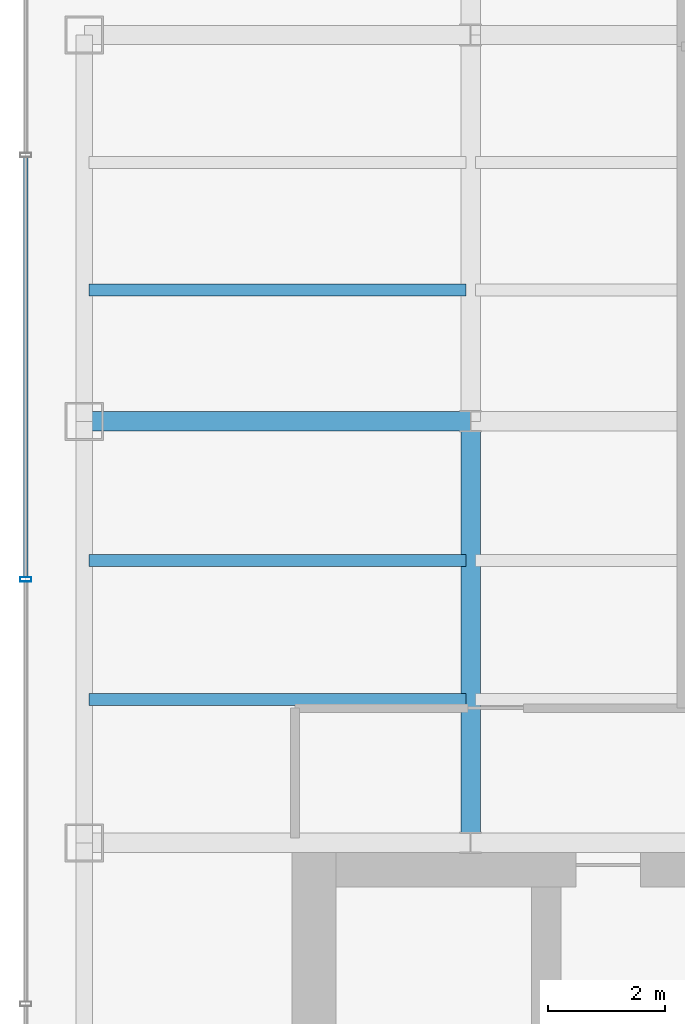
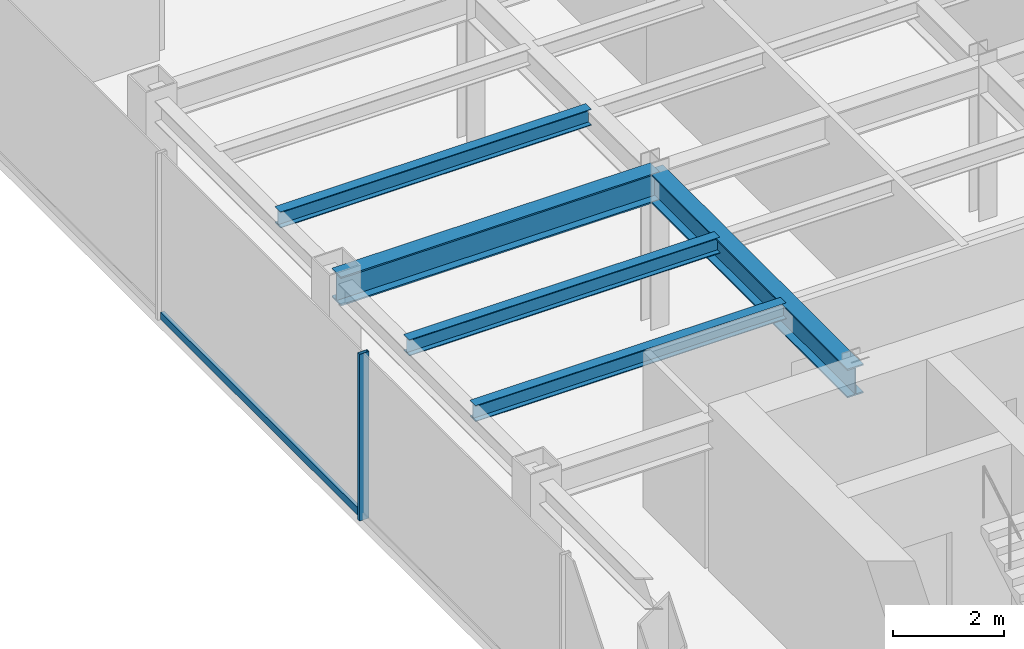
# One storey, part 5 of 25: 5 beams, 2 members, 1 element without a shape of its own.
"""IFC4 building model written with IfcOpenShell, lengths in metres."""

import ifcopenshell
import ifcopenshell.guid

model = None  # the IFC model being written
_history = None  # IfcOwnerHistory: only IFC2X3 demands one
_inside = {}  # id of a spatial element -> (the spatial element, [elements in it])
_under = {}  # id of a project, library or spatial element -> (it, [spatial elements below it])
_declared = {}  # id of a project -> (the project, [libraries it declares])
_typed = {}  # id of a type object -> (the type object, [elements of that type])
_made_of = {}  # id of a material, layer set ... -> (it, [elements and type objects made of it])


def new_model(schema):
    """Start an empty IFC model of exactly this schema.

    Asked for "IFC4X3", IfcOpenShell would pick the latest addendum, in which some entities
    have other attributes; the version numbers below select the first issue.
    IFC2X3 requires an IfcOwnerHistory on every rooted entity: one is made here for all.
    """
    global model, _history
    if schema == "IFC4X3":
        model = ifcopenshell.file(schema_version=(4, 3, 0, 0))
    else:
        model = ifcopenshell.file(schema=schema)
    _inside.clear()
    _under.clear()
    _declared.clear()
    _typed.clear()
    _made_of.clear()
    _history = None
    if model.schema == "IFC2X3":
        org = make("IfcOrganization", Name="unknown")
        user = make(
            "IfcPersonAndOrganization",
            ThePerson=make("IfcPerson", FamilyName="unknown"),
            TheOrganization=org,
        )
        app = make(
            "IfcApplication",
            ApplicationDeveloper=org,
            Version="unknown",
            ApplicationFullName="unknown",
            ApplicationIdentifier="unknown",
        )
        _history = make(
            "IfcOwnerHistory",
            OwningUser=user,
            OwningApplication=app,
            ChangeAction="ADDED",
            CreationDate=0,
        )
    return model


def make(cls, **values):
    """One entity of the class cls with the attributes given. An attribute that is None is left unset."""
    return model.create_entity(
        cls, **{name: value for name, value in values.items() if value is not None}
    )


def rooted(cls, **values):
    """An entity with a GlobalId (a new one), such as an element, a storey or a relation."""
    return make(cls, GlobalId=ifcopenshell.guid.new(), OwnerHistory=_history, **values)


def si_unit(unit_type, name, prefix=None):
    """IfcSIUnit, for example si_unit("LENGTHUNIT", "METRE", prefix="MILLI")."""
    return make("IfcSIUnit", UnitType=unit_type, Prefix=prefix, Name=name)


def derived_unit(unit_type, elements):
    """IfcDerivedUnit: a product of units, each with its exponent."""
    return make(
        "IfcDerivedUnit",
        Elements=[
            make("IfcDerivedUnitElement", Unit=unit, Exponent=power)
            for unit, power in elements
        ],
        UnitType=unit_type,
    )


def assignment(units):
    """IfcUnitAssignment: the units of a project."""
    return None if units is None else make("IfcUnitAssignment", Units=units)


def point(xyz):
    """IfcCartesianPoint."""
    return None if xyz is None else make("IfcCartesianPoint", Coordinates=xyz)


def direction(xyz):
    """IfcDirection."""
    return None if xyz is None else make("IfcDirection", DirectionRatios=xyz)


def frame(location, z_axis=None, x_axis=None):
    """IfcAxis2Placement3D, a coordinate frame: its origin and axes. An axis left out is left unset."""
    return make(
        "IfcAxis2Placement3D",
        Location=point(location),
        Axis=direction(z_axis),
        RefDirection=direction(x_axis),
    )


def frame_2d(location, x_axis=None):
    """IfcAxis2Placement2D, a coordinate frame in the plane: its origin and x axis."""
    return make(
        "IfcAxis2Placement2D", Location=point(location), RefDirection=direction(x_axis)
    )


def origin():
    """The frame at (0, 0, 0) with its axes left unset."""
    return frame((0.0, 0.0, 0.0))


def origin_2d():
    """The frame at (0, 0) in the plane with its x axis left unset."""
    return frame_2d((0.0, 0.0))


def place(relative_to, where):
    """IfcLocalPlacement: puts the frame where relative to a parent placement (None: the world)."""
    return make(
        "IfcLocalPlacement", PlacementRelTo=relative_to, RelativePlacement=where
    )


def context(
    kind, dimensions, precision=None, world=None, true_north=None, identifier=None
):
    """IfcGeometricRepresentationContext, for example the 3D "Model" context."""
    return make(
        "IfcGeometricRepresentationContext",
        ContextIdentifier=identifier,
        ContextType=kind,
        CoordinateSpaceDimension=dimensions,
        Precision=precision,
        WorldCoordinateSystem=world,
        TrueNorth=true_north,
    )


def subcontext(parent, identifier, kind, view, scale=None):
    """IfcGeometricRepresentationSubContext, for example "Body" below "Model"."""
    return make(
        "IfcGeometricRepresentationSubContext",
        ContextIdentifier=identifier,
        ContextType=kind,
        ParentContext=parent,
        TargetScale=scale,
        TargetView=view,
    )


def project(units=None, contexts=None):
    """IfcProject with its units and contexts."""
    return rooted(
        "IfcProject",
        Name="project",
        RepresentationContexts=contexts,
        UnitsInContext=assignment(units),
    )


def spatial(cls, under=None, at=None, **own):
    """A site, building, storey or space (cls), placed at a placement, below another one or the project."""
    s = rooted(cls, ObjectPlacement=at, **own)
    if under is not None:
        _under.setdefault(under.id(), (under, []))[1].append(s)
    return s


def profile(cls, at=None, kind="AREA", **sizes):
    """A parametric profile (cls). Its sizes go by their IFC names, for example OverallWidth=200.0."""
    return make(cls, ProfileType=kind, Position=at, **sizes)


def hollow_rectangle(**sizes):
    """IfcRectangleHollowProfileDef."""
    return profile("IfcRectangleHollowProfileDef", **sizes)


def i_section(**sizes):
    """IfcIShapeProfileDef."""
    return profile("IfcIShapeProfileDef", **sizes)


def extrude(swept, where, along, depth):
    """IfcExtrudedAreaSolid: the profile swept, set in the frame where, extruded along a direction by depth."""
    return make(
        "IfcExtrudedAreaSolid",
        SweptArea=swept,
        Position=where,
        ExtrudedDirection=direction(along),
        Depth=depth,
    )


def shape(context_of_items, identifier, shape_type, items):
    """IfcShapeRepresentation: the items that make up one representation, for example the "Body"."""
    return make(
        "IfcShapeRepresentation",
        ContextOfItems=context_of_items,
        RepresentationIdentifier=identifier,
        RepresentationType=shape_type,
        Items=items,
    )


def source(mapping_origin, context_of_items, identifier, shape_type, items):
    """IfcRepresentationMap: a shape defined once, which mapped items show again and again."""
    return make(
        "IfcRepresentationMap",
        MappingOrigin=mapping_origin,
        MappedRepresentation=shape(context_of_items, identifier, shape_type, items),
    )


def transform(
    local_origin,
    x_axis=None,
    y_axis=None,
    z_axis=None,
    scale=None,
    scale2=None,
    scale3=None,
    uniform=True,
):
    """IfcCartesianTransformationOperator3D, or its non-uniform kind. x_axis, y_axis, z_axis: its Axis1, 2, 3."""
    if uniform:
        return make(
            "IfcCartesianTransformationOperator3D",
            Axis1=direction(x_axis),
            Axis2=direction(y_axis),
            LocalOrigin=point(local_origin),
            Scale=scale,
            Axis3=direction(z_axis),
        )
    return make(
        "IfcCartesianTransformationOperator3DnonUniform",
        Axis1=direction(x_axis),
        Axis2=direction(y_axis),
        LocalOrigin=point(local_origin),
        Scale=scale,
        Axis3=direction(z_axis),
        Scale2=scale2,
        Scale3=scale3,
    )


def mapped(mapping_source, mapping_target):
    """IfcMappedItem: shows the shape of a source again, moved by a transform."""
    return make(
        "IfcMappedItem", MappingSource=mapping_source, MappingTarget=mapping_target
    )


def material(Name=None, Category=None):
    """IfcMaterial."""
    return make("IfcMaterial", Name=Name, Category=Category)


def material_profile(
    of_material, cross_section, Name=None, Category=None, Priority=None
):
    """IfcMaterialProfile: a cross section and its material."""
    return make(
        "IfcMaterialProfile",
        Name=Name,
        Material=of_material,
        Profile=cross_section,
        Priority=Priority,
        Category=Category,
    )


def profile_set(profiles, Name=None, composite=None):
    """IfcMaterialProfileSet."""
    return make(
        "IfcMaterialProfileSet",
        Name=Name,
        MaterialProfiles=profiles,
        CompositeProfile=composite,
    )


def made_of(thing, what):
    """Note that an element or type object is made of a material, layer set ...; save() writes the relation."""
    if what is not None:
        _made_of.setdefault(what.id(), (what, []))[1].append(thing)
    return thing


def type_object(cls, material=None, **own):
    """A type object (cls), such as IfcWallType, which elements share."""
    return made_of(rooted(cls, **own), material)


def element(
    cls,
    number,
    at=None,
    inside=None,
    cuts=None,
    type_object=None,
    material=None,
    context=None,
    identifier="Body",
    shape_type=None,
    held_by="IfcProductDefinitionShape",
    body=None,
    shapes=None,
    **own,
):
    """One element of the class cls, such as IfcWall. Its Tag is "e" and its number.

    at: its placement. inside: the storey or other place that contains it. cuts: it is an
    opening in that element (IfcRelVoidsElement). A single representation is given by context,
    identifier, shape_type and body (its items); several are given by shapes. held_by: the class
    of the entity that holds the representations. save() writes the other relations.
    """
    e = rooted(cls, Tag="e%d" % number, ObjectPlacement=at, **own)
    if body is not None:
        shapes = [shape(context, identifier, shape_type, body)]
    if shapes is not None:
        e.Representation = make(held_by, Representations=shapes)
    if inside is not None:
        _inside.setdefault(inside.id(), (inside, []))[1].append(e)
    if cuts is not None:
        rooted(
            "IfcRelVoidsElement", RelatingBuildingElement=cuts, RelatedOpeningElement=e
        )
    if type_object is not None:
        _typed.setdefault(type_object.id(), (type_object, []))[1].append(e)
    return made_of(e, material)


def aggregate(whole, parts):
    """IfcRelAggregates: a whole, such as a stair, and the parts it consists of."""
    return rooted("IfcRelAggregates", RelatingObject=whole, RelatedObjects=parts)


def save(model, path):
    """Write the relations noted so far, then the file.

    IfcRelAggregates (storeys below a building ...), IfcRelContainedInSpatialStructure (elements
    in a storey), IfcRelDefinesByType, IfcRelAssociatesMaterial and IfcRelDeclares: one each for
    every whole, place, type object, material and project.
    """
    for whole, parts in _under.values():
        aggregate(whole, parts)
    for where, things in _inside.values():
        rooted(
            "IfcRelContainedInSpatialStructure",
            RelatedElements=things,
            RelatingStructure=where,
        )
    for kind, things in _typed.values():
        rooted("IfcRelDefinesByType", RelatedObjects=things, RelatingType=kind)
    for what, things in _made_of.values():
        rooted("IfcRelAssociatesMaterial", RelatedObjects=things, RelatingMaterial=what)
    for by, libraries in _declared.values():
        rooted("IfcRelDeclares", RelatingContext=by, RelatedDefinitions=libraries)
    model.write(path)


model = new_model("IFC4")

# Units and contexts
model_context = context("Model", 3, precision=1e-05, world=origin(), true_north=direction((0.0, 1.0)))
body_context = subcontext(model_context, "Body", "Model", "MODEL_VIEW")
ifc_project = project(units=[si_unit("LENGTHUNIT", "METRE"), si_unit("AREAUNIT", "SQUARE_METRE"), si_unit("VOLUMEUNIT", "CUBIC_METRE"), si_unit("PLANEANGLEUNIT", "RADIAN"), si_unit("MASSUNIT", "GRAM", prefix="KILO"), derived_unit("THERMALTRANSMITTANCEUNIT", [(si_unit("POWERUNIT", "WATT"), 1), (si_unit("LENGTHUNIT", "METRE"), -2), (si_unit("THERMODYNAMICTEMPERATUREUNIT", "KELVIN"), -1)])], contexts=[model_context])

# Site, building, storey
site_placement = place(None, origin())
site = spatial("IfcSite", under=ifc_project, at=site_placement, CompositionType="ELEMENT")
building_placement = place(site_placement, origin())
building = spatial("IfcBuilding", under=site, at=building_placement, Name="Skarnbrae Concourse Arena and Tower", CompositionType="ELEMENT")
storey_placement = place(building_placement, frame((0.0, 0.0, 173.449951171875)))
storey = spatial("IfcBuildingStorey", under=building, at=storey_placement, Name="L44", CompositionType="ELEMENT", Elevation=173.449951171875)

# Beams
ifc_material_1 = material(Name="Steel CSA G40.21 350W", Category="steel")
ifc_material_profile_1 = material_profile(ifc_material_1, i_section(OverallWidth=0.3291015625, OverallDepth=0.635009765625, WebThickness=0.017822265625, FlangeThickness=0.031005859375, at=origin_2d()), Name="W610X241")
ifc_profile_set_1 = profile_set([ifc_material_profile_1], Name="Steel CSA G40.21 350W")
beam_type_1 = type_object("IfcBeamType", Name="BM-GIRD-W610X241", PredefinedType="BEAM", material=ifc_profile_set_1)
shared_shape_1 = source(origin(), body_context, "Body", "SweptSolid", [
    extrude(i_section(OverallWidth=0.3291015625, OverallDepth=0.635009765625, WebThickness=0.017822265625, FlangeThickness=0.031005859375, at=origin_2d()), origin(), (0.0, 0.0, 1.0), 6.60009765625),
])
beam_1_placement = place(storey_placement, frame((1.0, 21.199951171875, 3.08251953125), z_axis=(1.0, 0.0, 0.0), x_axis=(0.0, 1.0, 0.0)))
element("IfcBeam", 1, at=beam_1_placement, inside=storey, type_object=beam_type_1, Name="L44 Primary E-W girder Y21.2-1", PredefinedType="BEAM", context=body_context, shape_type="MappedRepresentation", body=[
    mapped(shared_shape_1, transform((0.0, 0.0, 0.0))),
])
shared_shape_2 = source(origin(), body_context, "Body", "SweptSolid", [
    extrude(i_section(OverallWidth=0.3291015625, OverallDepth=0.635009765625, WebThickness=0.017822265625, FlangeThickness=0.031005859375, at=origin_2d()), origin(), (0.0, 0.0, 1.0), 7.199951171875),
])
beam_2_placement = place(storey_placement, frame((7.60009765625, 14.0, 3.08251953125), z_axis=(0.0, 1.0, 0.0), x_axis=(-1.0, 0.0, 0.0)))
element("IfcBeam", 2, at=beam_2_placement, inside=storey, type_object=beam_type_1, Name="L44 Primary N-S girder X7.6-1", PredefinedType="BEAM", context=body_context, shape_type="MappedRepresentation", body=[
    mapped(shared_shape_2, transform((0.0, 0.0, 0.0))),
])
ifc_material_profile_2 = material_profile(ifc_material_1, i_section(OverallWidth=0.205078125, OverallDepth=0.35400390625, WebThickness=0.009521484375, FlangeThickness=0.016845703125, at=origin_2d()), Name="W360X79")
ifc_profile_set_2 = profile_set([ifc_material_profile_2], Name="Steel CSA G40.21 350W")
beam_type_2 = type_object("IfcBeamType", Name="BM-JOIST-W360X79", PredefinedType="JOIST", material=ifc_profile_set_2)
shared_shape_3 = source(origin(), body_context, "Body", "SweptSolid", [
    extrude(i_section(OverallWidth=0.205078125, OverallDepth=0.35400390625, WebThickness=0.009521484375, FlangeThickness=0.016845703125, at=origin_2d()), origin(), (0.0, 0.0, 1.0), 6.43994140625),
])
for number, where, z_axis, x_axis, name in (
    (3, (1.080078125, 16.447998046875, 3.22314453125), (1.0, 0.0, 0.0), (0.0, 1.0, 0.0), "L44 Secondary floor joist 1.1.1"),
    (4, (1.080078125, 18.823974609375, 3.22314453125), (1.0, 0.0, 0.0), (0.0, 1.0, 0.0), "L44 Secondary floor joist 1.2.1"),
    (5, (1.080078125, 23.444091796875, 3.22314453125), (1.0, 0.0, 0.0), (0.0, 1.0, 0.0), "L44 Secondary floor joist 2.1.1"),
):
    element("IfcBeam", number, at=place(storey_placement, frame(where, z_axis=z_axis, x_axis=x_axis)), inside=storey, type_object=beam_type_2, Name=name, PredefinedType="JOIST", context=body_context, shape_type="MappedRepresentation", body=[
        mapped(shared_shape_3, transform((0.0, 0.0, 0.0))),
    ])

# Curtain wall, members
ifc_material_2 = material(Name="Bronze anodised aluminium 6063-T6", Category="aluminium")
curtain_wall_type = type_object("IfcCurtainWallType", Name="CW-SYS-04-MIDZONE", PredefinedType="USERDEFINED", material=ifc_material_2)
curtain_wall_placement = place(storey_placement, origin())
curtain_wall = element("IfcCurtainWall", 6, at=curtain_wall_placement, inside=storey, type_object=curtain_wall_type, Name="L44 Unitised curtain wall CW-L44-E18", ObjectType="UNITISED CURTAIN WALL", PredefinedType="USERDEFINED")
ifc_material_profile_3 = material_profile(ifc_material_2, hollow_rectangle(XDim=0.074951171875, YDim=0.195068359375, WallThickness=0.00439453125, at=origin_2d()), Name="ALU-MULL-75X195")
ifc_profile_set_3 = profile_set([ifc_material_profile_3], Name="Bronze anodised aluminium 6063-T6")
member_type_1 = type_object("IfcMemberType", Name="CWM-CW-04", PredefinedType="MULLION", material=ifc_profile_set_3)
shared_shape_4 = source(origin(), body_context, "Body", "SweptSolid", [
    extrude(hollow_rectangle(XDim=0.074951171875, YDim=0.195068359375, WallThickness=0.00439453125, at=origin_2d()), origin(), (0.0, 0.0, 1.0), 3.650146484375),
])
member_1_placement = place(storey_placement, frame((0.0, 18.5, 0.0), z_axis=(0.0, 0.0, 1.0), x_axis=(0.0, -1.0, 0.0)))
member_1 = element("IfcMember", 7, at=member_1_placement, type_object=member_type_1, Name="CW-L44-E18 Mullion 3", PredefinedType="MULLION", context=body_context, shape_type="MappedRepresentation", body=[
    mapped(shared_shape_4, transform((0.0, 0.0, 0.0))),
])
ifc_material_profile_4 = material_profile(ifc_material_2, hollow_rectangle(XDim=0.074951171875, YDim=0.159912109375, WallThickness=0.00439453125, at=origin_2d()), Name="ALU-TRAN-75X160")
ifc_profile_set_4 = profile_set([ifc_material_profile_4], Name="Bronze anodised aluminium 6063-T6")
member_type_2 = type_object("IfcMemberType", Name="CWT-CW-04", PredefinedType="USERDEFINED", material=ifc_profile_set_4)
shared_shape_5 = source(origin(), body_context, "Body", "SweptSolid", [
    extrude(hollow_rectangle(XDim=0.074951171875, YDim=0.159912109375, WallThickness=0.00439453125, at=origin_2d()), origin(), (0.0, 0.0, 1.0), 7.1748046875),
])
member_2_placement = place(storey_placement, frame((0.0, 25.71240234375, 0.080078125), z_axis=(0.0, -1.0, 0.0), x_axis=(1.0, 0.0, 0.0)))
member_2 = element("IfcMember", 8, at=member_2_placement, type_object=member_type_2, Name="CW-L44-E18 Transom 2", ObjectType="TRANSOM", PredefinedType="USERDEFINED", context=body_context, shape_type="MappedRepresentation", body=[
    mapped(shared_shape_5, transform((0.0, 0.0, 0.0))),
])
aggregate(curtain_wall, [member_1, member_2])

save(model, "model.ifc")
